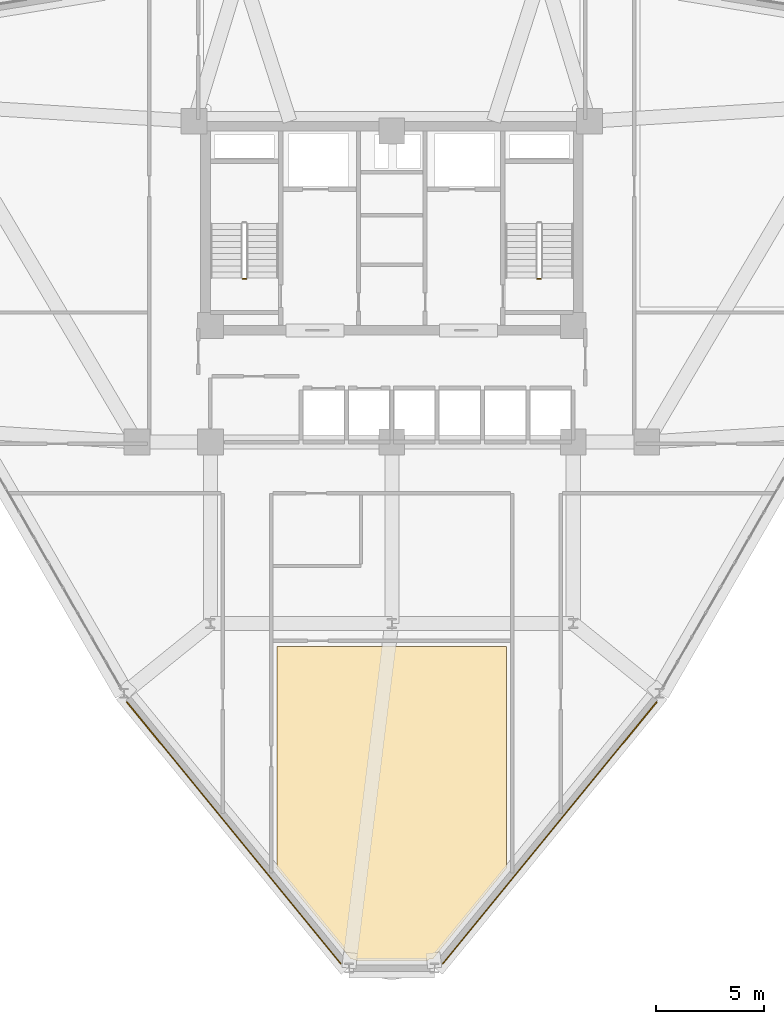
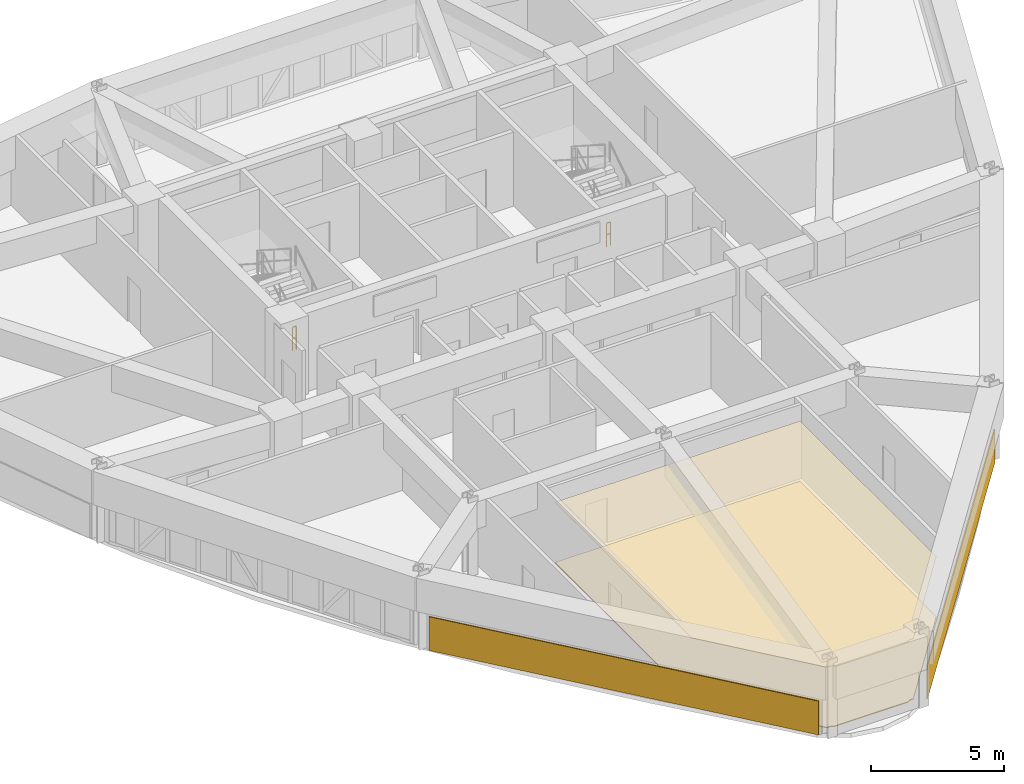
# One storey, part 13 of 15: 4 coverings, 2 railings.
"""IFC4 building model written with IfcOpenShell, lengths in metres."""

from ifc_helpers import new_model, si_unit, derived_unit, direction, frame, origin, origin_2d, place, context, subcontext, project, spatial, polyline, circle, outline, extrude, material, layer, layer_set, type_object, element, save


model = new_model("IFC4")

# Units and contexts
model_context = context("Model", 3, precision=1e-05, world=origin(), true_north=direction((0.0, 1.0)))
body_context = subcontext(model_context, "Body", "Model", "MODEL_VIEW")
ifc_project = project(units=[si_unit("LENGTHUNIT", "METRE"), si_unit("AREAUNIT", "SQUARE_METRE"), si_unit("VOLUMEUNIT", "CUBIC_METRE"), si_unit("PLANEANGLEUNIT", "RADIAN"), si_unit("MASSUNIT", "GRAM", prefix="KILO"), derived_unit("THERMALTRANSMITTANCEUNIT", [(si_unit("POWERUNIT", "WATT"), 1), (si_unit("LENGTHUNIT", "METRE"), -2), (si_unit("THERMODYNAMICTEMPERATUREUNIT", "KELVIN"), -1)])], contexts=[model_context])

# Site, building, storey
site_placement = place(None, origin())
site = spatial("IfcSite", under=ifc_project, at=site_placement, CompositionType="ELEMENT")
building_placement = place(site_placement, origin())
building = spatial("IfcBuilding", under=site, at=building_placement, Name="Korsvarv Bourse and Concert Hall", CompositionType="ELEMENT")
storey_placement = place(building_placement, frame((0.0, 0.0, 117.0)))
storey = spatial("IfcBuildingStorey", under=building, at=storey_placement, Name="L29", CompositionType="ELEMENT", Elevation=117.0)

# Coverings
ifc_material_1 = material(Name="Perforated mineral-wool and birch acoustic baffle ceiling", Category="wood")
ifc_layer_1 = layer(ifc_material_1, 0.02490234375)
ifc_layer_set_1 = layer_set([ifc_layer_1], Name="Perforated mineral-wool and birch acoustic baffle ceiling")
covering_type_1 = type_object("IfcCoveringType", Name="COV-CEIL-1", PredefinedType="CEILING", material=ifc_layer_set_1)
covering_1_placement = place(storey_placement, frame((0.0, 0.0, 2.780029296875)))
element("IfcCovering", 1, at=covering_1_placement, inside=storey, type_object=covering_type_1, Name="L29 acoustic baffle ceiling 2", PredefinedType="CEILING", context=body_context, shape_type="SweptSolid", body=[
    extrude(outline(polyline([(30.665771484375, 12.689453125), (30.67578125, 12.735107421875), (30.67919921875, 12.7705078125), (30.679931640625, 22.949951171875), (41.320068359375, 22.949951171875), (41.320068359375, 12.785400390625), (41.32373046875, 12.73828125), (41.33056640625, 12.7041015625), (37.889404296875, 8.472412109375), (37.7783203125, 8.472412109375), (37.743896484375, 8.468994140625), (37.7109375, 8.459228515625), (37.68017578125, 8.443359375), (37.6533203125, 8.421630859375), (37.630859375, 8.3955078125), (34.3720703125, 8.39501953125), (34.349609375, 8.41845703125), (34.32177734375, 8.438232421875), (34.29052734375, 8.452392578125), (34.25732421875, 8.46044921875), (34.11376953125, 8.46826171875), (30.665771484375, 12.689453125)])), origin(), (0.0, 0.0, 1.0), 0.02490234375),
])
ifc_material_2 = material(Name="Warm iron-oxide extruded terracotta rainscreen tile", Category="ceramic")
ifc_layer_2 = layer(ifc_material_2, 0.044921875)
ifc_layer_set_2 = layer_set([ifc_layer_2], Name="Warm iron-oxide extruded terracotta rainscreen tile")
covering_type_2 = type_object("IfcCoveringType", Name="COV-CLD-TC", PredefinedType="CLADDING", material=ifc_layer_set_2)
covering_2_placement = place(storey_placement, origin())
element("IfcCovering", 2, at=covering_2_placement, inside=storey, type_object=covering_type_2, Name="L29 fluted terracotta cladding panel EW-L29-B08", PredefinedType="CLADDING", context=body_context, shape_type="SweptSolid", body=[
    extrude(outline(polyline([(23.74365234375, 20.39599609375), (33.667236328125, 8.263916015625), (33.63232421875, 8.2353515625), (23.708740234375, 20.367431640625), (23.74365234375, 20.39599609375)])), origin(), (0.0, 0.0, 1.0), 1.550048828125),
])
covering_3_placement = place(storey_placement, origin())
element("IfcCovering", 3, at=covering_3_placement, inside=storey, type_object=covering_type_2, Name="L29 fluted terracotta cladding panel EW-L29-B10", PredefinedType="CLADDING", context=body_context, shape_type="SweptSolid", body=[
    extrude(outline(polyline([(38.332763671875, 8.263916015625), (48.25634765625, 20.39599609375), (48.291259765625, 20.367431640625), (38.36767578125, 8.2353515625), (38.332763671875, 8.263916015625)])), origin(), (0.0, 0.0, 1.0), 1.550048828125),
])
ifc_material_3 = material(Name="Calcium-sulphate raised access trading floor with Nordic oak top", Category="wood")
ifc_layer_3 = layer(ifc_material_3, 0.0400390625)
ifc_layer_set_3 = layer_set([ifc_layer_3], Name="Calcium-sulphate raised access trading floor with Nordic oak top")
covering_type_3 = type_object("IfcCoveringType", Name="COV-FLOR-1", PredefinedType="FLOORING", material=ifc_layer_set_3)
covering_4_placement = place(storey_placement, origin())
element("IfcCovering", 4, at=covering_4_placement, inside=storey, type_object=covering_type_3, Name="L29 raised access oak floor finish 2", PredefinedType="FLOORING", context=body_context, shape_type="SweptSolid", body=[
    extrude(outline(polyline([(30.665771484375, 12.689453125), (30.67578125, 12.735107421875), (30.67919921875, 12.7705078125), (30.679931640625, 22.949951171875), (41.320068359375, 22.949951171875), (41.320068359375, 12.785400390625), (41.32373046875, 12.73828125), (41.33056640625, 12.7041015625), (37.889404296875, 8.472412109375), (37.7783203125, 8.472412109375), (37.743896484375, 8.468994140625), (37.7109375, 8.459228515625), (37.68017578125, 8.443359375), (37.6533203125, 8.421630859375), (37.630859375, 8.3955078125), (34.3720703125, 8.39501953125), (34.349609375, 8.41845703125), (34.32177734375, 8.438232421875), (34.29052734375, 8.452392578125), (34.25732421875, 8.46044921875), (34.11376953125, 8.46826171875), (30.665771484375, 12.689453125)])), origin(), (0.0, 0.0, 1.0), 0.0400390625),
])

# Railings
ifc_material_4 = material(Name="Painted Steel S355 stair well guardrail", Category="steel")
railing_type = type_object("IfcRailingType", Name="RL-ST-GRD", PredefinedType="GUARDRAIL", material=ifc_material_4)
for number, where, name in (
    (5, (29.260009765625, 39.949951171875, 0.0), "L29 ST-T1 stair guard 4"),
    (6, (42.89990234375, 39.949951171875, 0.0), "L29 ST-T2 stair guard 4"),
):
    element("IfcRailing", number, at=place(storey_placement, frame(where)), inside=storey, type_object=railing_type, Name=name, PredefinedType="GUARDRAIL", context=body_context, shape_type="SweptSolid", body=[
        extrude(circle(Radius=0.02392578125, at=origin_2d()), frame((0.0, 0.0, 1.076171875), z_axis=(-1.0, 0.0, 0.0), x_axis=(0.0, -1.0, 0.0)), (0.0, 0.0, 1.0), 0.159912109375),
        extrude(circle(Radius=0.02392578125, at=origin_2d()), frame((0.0, 0.0, 0.550048828125), z_axis=(-1.0, 0.0, 0.0), x_axis=(0.0, -1.0, 0.0)), (0.0, 0.0, 1.0), 0.159912109375),
        extrude(circle(Radius=0.02099609375, at=origin_2d()), origin(), (0.0, 0.0, 1.0), 1.052001953125),
        extrude(circle(Radius=0.02099609375, at=origin_2d()), frame((-0.159912109375, 0.0, 0.0)), (0.0, 0.0, 1.0), 1.052001953125),
    ])

save(model, "model.ifc")
